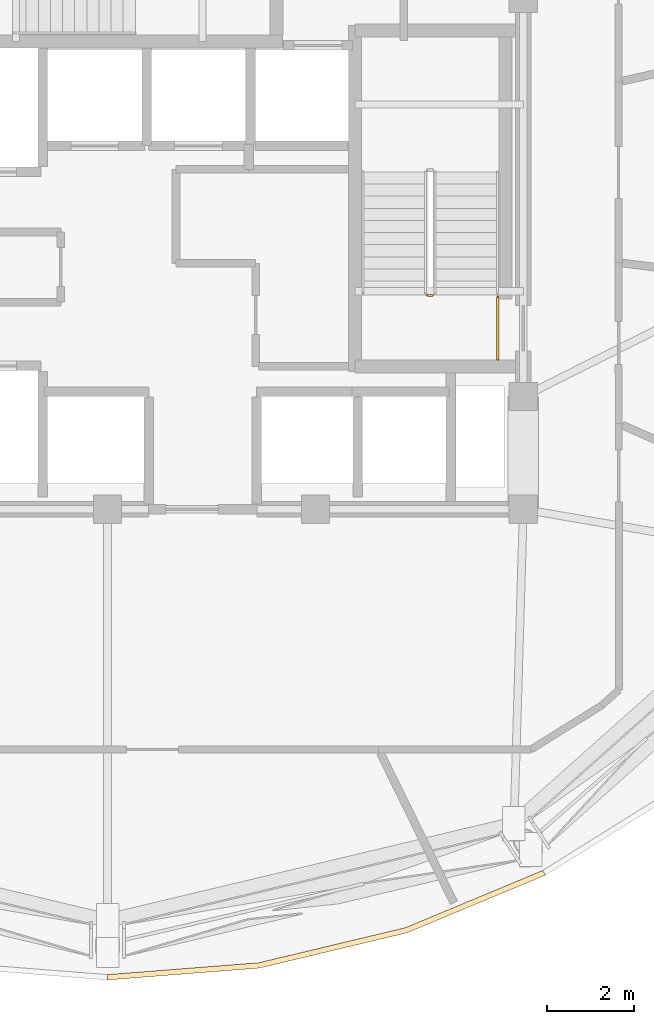
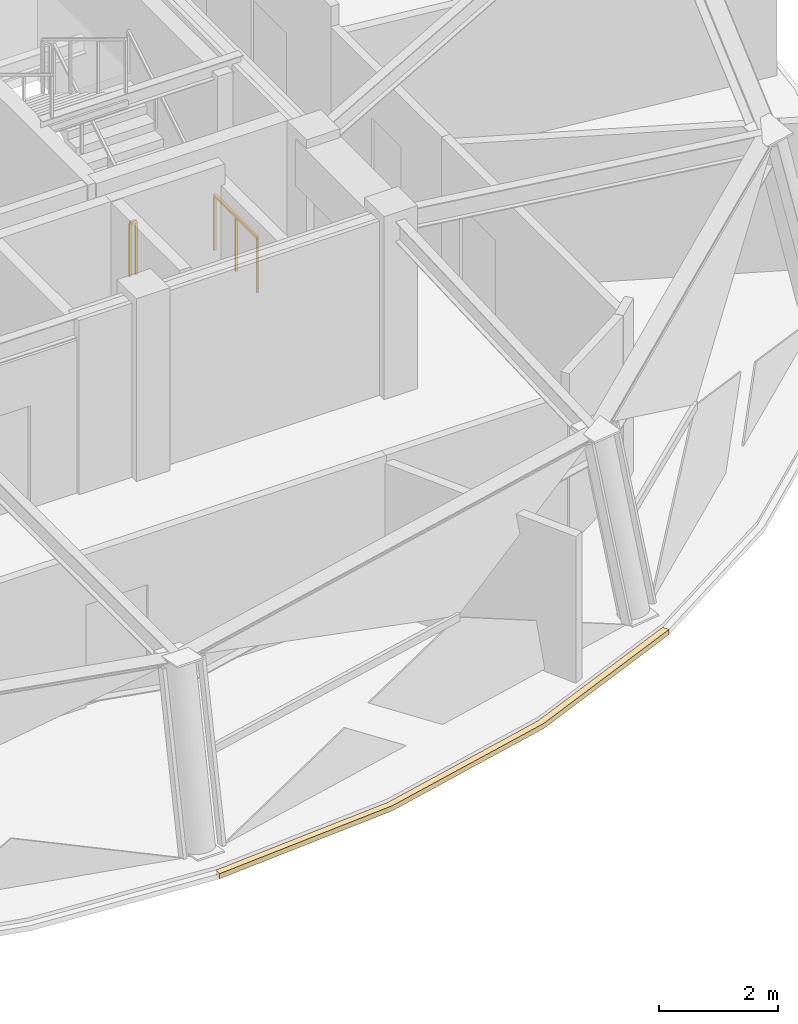
# One storey, part 9 of 11: 2 railings, 1 covering.
"""IFC4 building model written with IfcOpenShell, lengths in metres."""

from ifc_helpers import new_model, si_unit, direction, frame, origin, origin_2d, place, context, subcontext, project, spatial, polyline, rectangle, outline, extrude, material, layer, layer_set, type_object, element, save


model = new_model("IFC4")

# Units and contexts
model_context = context("Model", 3, precision=1e-05, world=origin(), true_north=direction((0.0, 1.0)))
body_context = subcontext(model_context, "Body", "Model", "MODEL_VIEW")
ifc_project = project(units=[si_unit("LENGTHUNIT", "METRE"), si_unit("AREAUNIT", "SQUARE_METRE"), si_unit("VOLUMEUNIT", "CUBIC_METRE"), si_unit("PLANEANGLEUNIT", "RADIAN"), si_unit("MASSUNIT", "GRAM", prefix="KILO")], contexts=[model_context])

# Site, building, storey
site_placement = place(None, origin())
site = spatial("IfcSite", under=ifc_project, at=site_placement, CompositionType="ELEMENT")
building_placement = place(site_placement, origin())
building = spatial("IfcBuilding", under=site, at=building_placement, Name="Vantalir Tower", CompositionType="ELEMENT")
storey_placement = place(building_placement, frame((0.0, 0.0, 278.85009765625)))
storey = spatial("IfcBuildingStorey", under=building, at=storey_placement, Name="L70", CompositionType="ELEMENT", Elevation=278.85009765625)

# Covering
ifc_material_1 = material(Name="Anodised champagne aluminium sill fascia", Category="aluminium")
ifc_layer = layer(ifc_material_1, 0.125)
ifc_layer_set = layer_set([ifc_layer], Name="Anodised champagne aluminium sill fascia")
covering_type = type_object("IfcCoveringType", Name="COV-SLAB-FASCIA-125", PredefinedType="CLADDING", material=ifc_layer_set)
covering_placement = place(storey_placement, frame((0.0, 0.0, -0.18017578125)))
element("IfcCovering", 1, at=covering_placement, inside=storey, type_object=covering_type, Name="L70 Perimeter Slab-Edge Sill Fascia 10", PredefinedType="CLADDING", context=body_context, shape_type="SweptSolid", body=[
    extrude(outline(polyline([(31.5, 6.928955078125), (35.011962890625, 7.2041015625), (38.4169921875, 8.01904296875), (41.613037109375, 9.35009765625), (41.550048828125, 9.4580078125), (38.375, 8.135986328125), (34.989990234375, 7.326904296875), (31.5, 7.053955078125), (31.5, 6.928955078125)])), origin(), (0.0, 0.0, 1.0), 0.10498046875),
])

# Railings
ifc_material_2 = material(Name="Anodised aluminium and stainless steel guard", Category="steel")
railing_type = type_object("IfcRailingType", Name="RAL-GUARD-1120", PredefinedType="GUARDRAIL", material=ifc_material_2)
railing_1_placement = place(storey_placement, frame((39.010009765625, 22.739990234375, 0.0)))
element("IfcRailing", 2, at=railing_1_placement, inside=storey, type_object=railing_type, Name="L70 ST2 stair guard 4", PredefinedType="GUARDRAIL", context=body_context, shape_type="SweptSolid", body=[
    extrude(rectangle(XDim=0.048095703125, YDim=0.048095703125, at=origin_2d()), frame((0.0, 0.0, 1.09619140625), z_axis=(-1.0, 0.0, 0.0), x_axis=(0.0, -1.0, 0.0)), (0.0, 0.0, 1.0), 0.1201171875),
    extrude(rectangle(XDim=0.0419921875, YDim=0.0419921875, at=origin_2d()), origin(), (0.0, 0.0, 1.0), 1.072021484375),
    extrude(rectangle(XDim=0.0419921875, YDim=0.0419921875, at=origin_2d()), frame((-0.1201171875, 0.0, 0.0)), (0.0, 0.0, 1.0), 1.072021484375),
])
railing_2_placement = place(storey_placement, frame((40.510009765625, 21.260009765625, 0.0)))
element("IfcRailing", 3, at=railing_2_placement, inside=storey, type_object=railing_type, Name="L70 Stair ST2 Doorway Landing Guard", PredefinedType="GUARDRAIL", context=body_context, shape_type="SweptSolid", body=[
    extrude(rectangle(XDim=0.048095703125, YDim=0.048095703125, at=origin_2d()), frame((0.0, 0.0, 1.1259765625), z_axis=(0.0, 1.0, 0.0), x_axis=(-1.0, 0.0, 0.0)), (0.0, 0.0, 1.0), 1.43994140625),
    extrude(rectangle(XDim=0.0419921875, YDim=0.0419921875, at=origin_2d()), origin(), (0.0, 0.0, 1.0), 1.101806640625),
    extrude(rectangle(XDim=0.0419921875, YDim=0.0419921875, at=origin_2d()), frame((0.0, 0.719970703125, 0.0)), (0.0, 0.0, 1.0), 1.101806640625),
    extrude(rectangle(XDim=0.0419921875, YDim=0.0419921875, at=origin_2d()), frame((0.0, 1.43994140625, 0.0)), (0.0, 0.0, 1.0), 1.101806640625),
])

save(model, "model.ifc")
